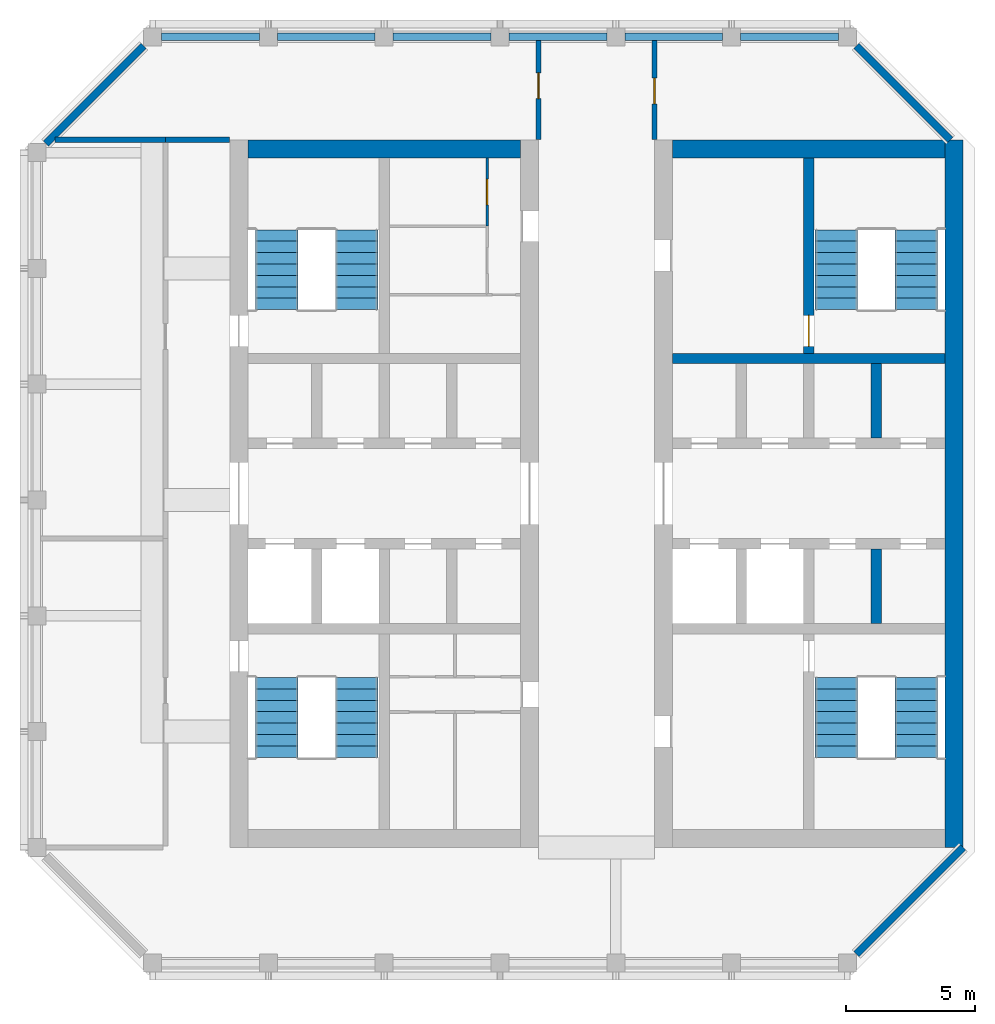
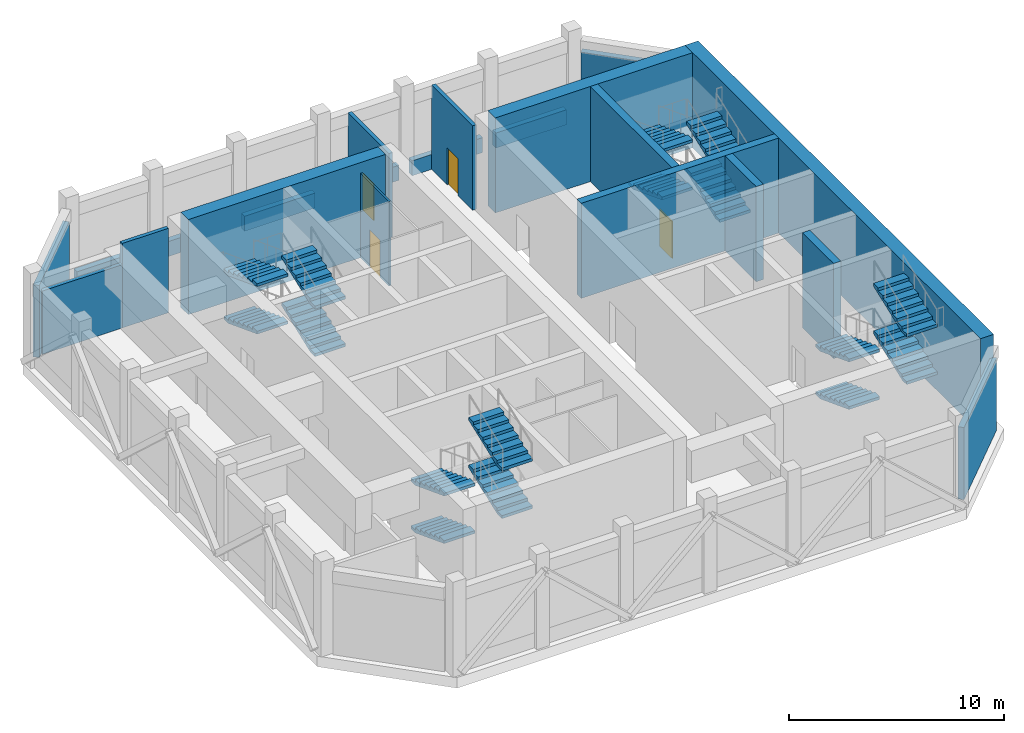
# One storey, part 4 of 7: 21 walls, 16 stair flights, 4 doors, 4 openings, 4 elements without a shape of their own.
"""IFC4 building model written with IfcOpenShell, lengths in metres."""

from ifc_helpers import new_model, si_unit, direction, frame, frame_2d, origin, place, context, subcontext, project, spatial, polyline, rectangle, outline, extrude, material, layer, layer_set, type_object, element, fill, aggregate, save


model = new_model("IFC4")

# Units and contexts
model_context = context("Model", 3, precision=1e-05, world=origin(), true_north=direction((0.0, 1.0)))
body_context = subcontext(model_context, "Body", "Model", "MODEL_VIEW")
ifc_project = project(units=[si_unit("LENGTHUNIT", "METRE"), si_unit("AREAUNIT", "SQUARE_METRE"), si_unit("VOLUMEUNIT", "CUBIC_METRE"), si_unit("PLANEANGLEUNIT", "RADIAN"), si_unit("MASSUNIT", "GRAM", prefix="KILO")], contexts=[model_context])

# Site, building, storey
site_placement = place(None, origin())
site = spatial("IfcSite", under=ifc_project, at=site_placement, CompositionType="ELEMENT")
building_placement = place(site_placement, origin())
building = spatial("IfcBuilding", under=site, at=building_placement, Name="Corbel Stack Research Tower", CompositionType="ELEMENT")
storey_placement = place(building_placement, frame((0.0, 0.0, 306.39990234375)))
storey = spatial("IfcBuildingStorey", under=building, at=storey_placement, Name="L69", CompositionType="ELEMENT", Elevation=306.39990234375)

# Walls
ifc_material_1 = material(Name="Concrete blockwork C20/25", Category="masonry")
ifc_layer_1 = layer(ifc_material_1, 0.199951171875)
ifc_layer_set_1 = layer_set([ifc_layer_1], Name="Concrete blockwork C20/25")
wall_type_1 = type_object("IfcWallType", Name="Blockwork partition 200", PredefinedType="PARTITIONING", material=ifc_layer_set_1)
wall_1_placement = place(storey_placement, frame((-17.294921875, 18.5, 0.0), z_axis=(0.0, 0.0, 1.0), x_axis=(1.0, 0.0, 0.0)))
element("IfcWall", 1, at=wall_1_placement, inside=storey, type_object=wall_type_1, Name="Partition L69-03", PredefinedType="PARTITIONING", context=body_context, shape_type="SweptSolid", body=[
    extrude(rectangle(XDim=4.294921875, YDim=0.199951171875, at=frame_2d((2.1474609375, 0.0))), origin(), (0.0, 0.0, 1.0), 3.60009765625),
])
wall_2_placement = place(storey_placement, frame((-13.0, 18.5, 0.0), z_axis=(0.0, 0.0, 1.0), x_axis=(1.0, 0.0, 0.0)))
element("IfcWall", 2, at=wall_2_placement, inside=storey, type_object=wall_type_1, Name="Partition L69-06", PredefinedType="PARTITIONING", context=body_context, shape_type="SweptSolid", body=[
    extrude(rectangle(XDim=2.47998046875, YDim=0.199951171875, at=frame_2d((1.239990234375, 0.0))), origin(), (0.0, 0.0, 1.0), 4.800048828125),
])

# Wall, opening, door
wall_3_placement = place(storey_placement, frame((1.5, 18.52001953125, 0.0), z_axis=(0.0, 0.0, 1.0), x_axis=(0.0, 1.0, 0.0)))
wall_3 = element("IfcWall", 3, at=wall_3_placement, inside=storey, type_object=wall_type_1, Name="Partition L69-07", PredefinedType="PARTITIONING", context=body_context, shape_type="SweptSolid", body=[
    extrude(rectangle(XDim=3.8349609375, YDim=0.199951171875, at=frame_2d((1.91748046875, 0.0))), origin(), (0.0, 0.0, 1.0), 4.800048828125),
])
opening_1_placement = place(wall_3_placement, frame((1.580078125, 0.0, 0.0)))
opening_1 = element("IfcOpeningElement", 4, at=opening_1_placement, cuts=wall_3, Name="Opening D69-03", PredefinedType="OPENING", context=body_context, shape_type="SweptSolid", body=[
    extrude(rectangle(XDim=1.0, YDim=2.10009765625, at=frame_2d((0.5, 1.050048828125))), frame((0.0, 0.10986328125, 0.0), z_axis=(0.0, -1.0, 0.0), x_axis=(1.0, 0.0, 0.0)), (0.0, 0.0, 1.0), 0.219970703125),
])
ifc_material_2 = material(Name="Steel, painted", Category="steel")
door_type_1 = type_object("IfcDoorType", Name="Steel door 1000 x 2100 FD60", OperationType="SINGLE_SWING_LEFT", PredefinedType="DOOR", material=ifc_material_2)
door_1_placement = place(opening_1_placement, origin())
door_1 = element("IfcDoor", 5, at=door_1_placement, inside=storey, type_object=door_type_1, Name="Standby generator room door", OperationType="SINGLE_SWING_LEFT", OverallHeight=2.10009765625, OverallWidth=1.0, PredefinedType="DOOR", context=body_context, shape_type="SweptSolid", body=[
    extrude(rectangle(XDim=1.0, YDim=2.10009765625, at=frame_2d((0.5, 1.050048828125))), frame((0.0, 0.02490234375, 0.0), z_axis=(0.0, -1.0, 0.0), x_axis=(1.0, 0.0, 0.0)), (0.0, 0.0, 1.0), 0.050048828125),
])
fill(opening_1, door_1)

wall_4_placement = place(storey_placement, frame((6.0, 22.35498046875, 0.0), z_axis=(0.0, 0.0, 1.0), x_axis=(0.0, -1.0, 0.0)))
wall_4 = element("IfcWall", 6, at=wall_4_placement, inside=storey, type_object=wall_type_1, Name="Partition L69-08", PredefinedType="PARTITIONING", context=body_context, shape_type="SweptSolid", body=[
    extrude(rectangle(XDim=3.8349609375, YDim=0.199951171875, at=frame_2d((1.91748046875, 0.0))), origin(), (0.0, 0.0, 1.0), 4.800048828125),
])
opening_2_placement = place(wall_4_placement, frame((1.455078125, 0.0, 0.0)))
opening_2 = element("IfcOpeningElement", 7, at=opening_2_placement, cuts=wall_4, Name="Opening D69-04", PredefinedType="OPENING", context=body_context, shape_type="SweptSolid", body=[
    extrude(rectangle(XDim=1.0, YDim=2.10009765625, at=frame_2d((0.5, 1.050048828125))), frame((0.0, 0.10986328125, 0.0), z_axis=(0.0, -1.0, 0.0), x_axis=(1.0, 0.0, 0.0)), (0.0, 0.0, 1.0), 0.219970703125),
])
door_2_placement = place(opening_2_placement, origin())
door_2 = element("IfcDoor", 8, at=door_2_placement, inside=storey, type_object=door_type_1, Name="Air handling plant room door", OperationType="SINGLE_SWING_LEFT", OverallHeight=2.10009765625, OverallWidth=1.0, PredefinedType="DOOR", context=body_context, shape_type="SweptSolid", body=[
    extrude(rectangle(XDim=1.0, YDim=2.10009765625, at=frame_2d((0.5, 1.050048828125))), frame((0.0, 0.02490234375, 0.0), z_axis=(0.0, -1.0, 0.0), x_axis=(1.0, 0.0, 0.0)), (0.0, 0.0, 1.0), 0.050048828125),
])
fill(opening_2, door_2)

# Walls
ifc_material_3 = material(Name="Concrete C60/75", Category="concrete")
ifc_layer_2 = layer(ifc_material_3, 0.39990234375)
ifc_layer_set_2 = layer_set([ifc_layer_2], Name="Concrete C60/75")
wall_type_2 = type_object("IfcWallType", Name="CW-400-60", PredefinedType="SHEAR", material=ifc_layer_set_2)
wall_5_placement = place(storey_placement, frame((6.699951171875, 10.0, 0.0), z_axis=(0.0, 0.0, 1.0), x_axis=(1.0, 0.0, 0.0)))
element("IfcWall", 9, at=wall_5_placement, inside=storey, type_object=wall_type_2, Name="East core wall, north row back L69", PredefinedType="SHEAR", context=body_context, shape_type="SweptSolid", body=[
    extrude(rectangle(XDim=10.60009765625, YDim=0.39990234375, at=frame_2d((5.300048828125, 0.0))), origin(), (0.0, 0.0, 1.0), 5.400146484375),
])
for number, where, z_axis, x_axis, name in (
    (10, (14.625, -0.300048828125, 0.0), (0.0, 0.0, 1.0), (0.0, 1.0, 0.0), "East core wall, south shaft 3 L69"),
    (11, (14.625, 6.89990234375, 0.0), (0.0, 0.0, 1.0), (0.0, 1.0, 0.0), "East core wall, north shaft 3 L69"),
):
    element("IfcWall", number, at=place(storey_placement, frame(where, z_axis=z_axis, x_axis=x_axis)), inside=storey, type_object=wall_type_2, Name=name, PredefinedType="SHEAR", context=body_context, shape_type="SweptSolid", body=[
        extrude(rectangle(XDim=2.900146484375, YDim=0.39990234375, at=frame_2d((1.4501953125, 0.0))), origin(), (0.0, 0.0, 1.0), 5.400146484375),
    ])

# Wall, opening, door
wall_6_placement = place(storey_placement, frame((12.0, 10.199951171875, 0.0), z_axis=(0.0, 0.0, 1.0), x_axis=(0.0, 1.0, 0.0)))
wall_6 = element("IfcWall", 12, at=wall_6_placement, inside=storey, type_object=wall_type_2, Name="East core wall, north stair and riser L69", PredefinedType="SHEAR", context=body_context, shape_type="SweptSolid", body=[
    extrude(rectangle(XDim=7.60009765625, YDim=0.39990234375, at=frame_2d((3.800048828125, 0.0))), origin(), (0.0, 0.0, 1.0), 5.400146484375),
])
opening_3_placement = place(wall_6_placement, frame((0.27490234375, 0.0, 0.0)))
opening_3 = element("IfcOpeningElement", 13, at=opening_3_placement, cuts=wall_6, Name="Opening SD-ST-E2", PredefinedType="OPENING", context=body_context, shape_type="SweptSolid", body=[
    extrude(rectangle(XDim=1.199951171875, YDim=2.10009765625, at=frame_2d((0.60009765625, 1.050048828125))), frame((0.0, 0.2099609375, 0.0), z_axis=(0.0, -1.0, 0.0), x_axis=(1.0, 0.0, 0.0)), (0.0, 0.0, 1.0), 0.419921875),
])
ifc_material_4 = material(Name="Painted steel fire door", Category="steel")
door_type_2 = type_object("IfcDoorType", Name="Stair door 1200 x 2100 FD90 right hand", OperationType="SINGLE_SWING_RIGHT", PredefinedType="DOOR", material=ifc_material_4)
door_3_placement = place(opening_3_placement, origin())
door_3 = element("IfcDoor", 14, at=door_3_placement, inside=storey, type_object=door_type_2, Name="Stair door ST-E2", OperationType="SINGLE_SWING_RIGHT", OverallHeight=2.10009765625, OverallWidth=1.199951171875, PredefinedType="DOOR", context=body_context, shape_type="SweptSolid", body=[
    extrude(rectangle(XDim=1.199951171875, YDim=2.10009765625, at=frame_2d((0.60009765625, 1.050048828125))), frame((0.0, 0.02490234375, 0.0), z_axis=(0.0, -1.0, 0.0), x_axis=(1.0, 0.0, 0.0)), (0.0, 0.0, 1.0), 0.050048828125),
])
fill(opening_3, door_3)

# Walls
ifc_material_5 = material(Name="Concrete C60/75", Category="concrete")
ifc_layer_3 = layer(ifc_material_5, 0.699951171875)
ifc_layer_set_3 = layer_set([ifc_layer_3], Name="Concrete C60/75")
wall_type_3 = type_object("IfcWallType", Name="CW-700-60", PredefinedType="SHEAR", material=ifc_layer_set_3)
wall_7_placement = place(storey_placement, frame((-9.800048828125, 18.14990234375, 0.0), z_axis=(0.0, 0.0, 1.0), x_axis=(1.0, 0.0, 0.0)))
element("IfcWall", 15, at=wall_7_placement, inside=storey, type_object=wall_type_3, Name="West core wall, north end L69", PredefinedType="SHEAR", context=body_context, shape_type="SweptSolid", body=[
    extrude(rectangle(XDim=10.60009765625, YDim=0.699951171875, at=frame_2d((5.300048828125, 0.0))), origin(), (0.0, 0.0, 1.0), 5.400146484375),
])
wall_8_placement = place(storey_placement, frame((17.64990234375, -9.0, 0.0), z_axis=(0.0, 0.0, 1.0), x_axis=(0.0, 1.0, 0.0)))
element("IfcWall", 16, at=wall_8_placement, inside=storey, type_object=wall_type_3, Name="East core wall, east face L69", PredefinedType="SHEAR", context=body_context, shape_type="SweptSolid", body=[
    extrude(rectangle(XDim=27.5, YDim=0.699951171875, at=frame_2d((13.75, 0.0))), origin(), (0.0, 0.0, 1.0), 5.400146484375),
])
wall_9_placement = place(storey_placement, frame((6.699951171875, 18.14990234375, 0.0), z_axis=(0.0, 0.0, 1.0), x_axis=(1.0, 0.0, 0.0)))
element("IfcWall", 17, at=wall_9_placement, inside=storey, type_object=wall_type_3, Name="East core wall, north end L69", PredefinedType="SHEAR", context=body_context, shape_type="SweptSolid", body=[
    extrude(rectangle(XDim=10.60009765625, YDim=0.699951171875, at=frame_2d((5.300048828125, 0.0))), origin(), (0.0, 0.0, 1.0), 5.400146484375),
])

# Wall, opening, door
ifc_material_6 = material(Name="Gypsum board")
ifc_layer_4 = layer(ifc_material_6, 0.10009765625)
ifc_layer_set_4 = layer_set([ifc_layer_4], Name="Gypsum board")
wall_type_4 = type_object("IfcWallType", Name="Core partition 100", PredefinedType="PARTITIONING", material=ifc_layer_set_4)
wall_10_placement = place(storey_placement, frame((-0.5, 15.139892578125, 0.0), z_axis=(0.0, 0.0, 1.0), x_axis=(0.0, 1.0, 0.0)))
wall_10 = element("IfcWall", 18, at=wall_10_placement, inside=storey, type_object=wall_type_4, Name="Core partition W", PredefinedType="PARTITIONING", context=body_context, shape_type="SweptSolid", body=[
    extrude(rectangle(XDim=2.66015625, YDim=0.10009765625, at=frame_2d((1.330078125, 0.0))), origin(), (0.0, 0.0, 1.0), 4.800048828125),
])
opening_4_placement = place(wall_10_placement, frame((0.830078125, 0.0, 0.0)))
opening_4 = element("IfcOpeningElement", 19, at=opening_4_placement, cuts=wall_10, Name="Opening CR-W54-R4-1000", PredefinedType="OPENING", context=body_context, shape_type="SweptSolid", body=[
    extrude(rectangle(XDim=1.0, YDim=2.10009765625, at=frame_2d((0.5, 1.050048828125))), frame((0.0, 0.06005859375, 0.0), z_axis=(0.0, -1.0, 0.0), x_axis=(1.0, 0.0, 0.0)), (0.0, 0.0, 1.0), 0.1201171875),
])
ifc_material_7 = material(Name="Painted steel door", Category="steel")
door_type_3 = type_object("IfcDoorType", Name="Service door 1000 x 2100 FD30 right hand", OperationType="SINGLE_SWING_RIGHT", PredefinedType="DOOR", material=ifc_material_7)
door_4_placement = place(opening_4_placement, origin())
door_4 = element("IfcDoor", 20, at=door_4_placement, inside=storey, type_object=door_type_3, Name="Copy and supply store door W core", OperationType="SINGLE_SWING_RIGHT", OverallHeight=2.10009765625, OverallWidth=1.0, PredefinedType="DOOR", context=body_context, shape_type="SweptSolid", body=[
    extrude(rectangle(XDim=1.0, YDim=2.10009765625, at=frame_2d((0.5, 1.050048828125))), frame((0.0, 0.02490234375, 0.0), z_axis=(0.0, -1.0, 0.0), x_axis=(1.0, 0.0, 0.0)), (0.0, 0.0, 1.0), 0.050048828125),
])
fill(opening_4, door_4)

# Walls
ifc_material_8 = material(Name="Concrete C45/55", Category="concrete")
ifc_layer_5 = layer(ifc_material_8, 0.300048828125)
ifc_layer_set_5 = layer_set([ifc_layer_5], Name="Concrete C45/55")
wall_type_5 = type_object("IfcWallType", Name="Precast plant wall 300 C45/55", PredefinedType="SOLIDWALL", material=ifc_layer_set_5)
wall_11_placement = place(storey_placement, frame((13.85009765625, -13.14990234375, 0.0), z_axis=(0.0, 0.0, 1.0), x_axis=(0.707106781187, 0.707106781187, 0.0)))
element("IfcWall", 21, at=wall_11_placement, inside=storey, type_object=wall_type_5, Name="Plant wall L69-07", PredefinedType="SOLIDWALL", context=body_context, shape_type="SweptSolid", body=[
    extrude(rectangle(XDim=5.868896484375, YDim=0.300048828125, at=frame_2d((2.9345703125, 0.0))), origin(), (0.0, 0.0, 1.0), 4.10009765625),
])
wall_12_placement = place(storey_placement, frame((17.5, 18.5, 0.0), z_axis=(0.0, 0.0, 1.0), x_axis=(-0.707106781187, 0.707106781187, 0.0)))
element("IfcWall", 22, at=wall_12_placement, inside=storey, type_object=wall_type_5, Name="Plant wall L69-08", PredefinedType="SOLIDWALL", context=body_context, shape_type="SweptSolid", body=[
    extrude(rectangle(XDim=5.16162109375, YDim=0.300048828125, at=frame_2d((2.580810546875, 0.0))), origin(), (0.0, 0.0, 1.0), 4.10009765625),
])
for number, where, z_axis, x_axis, name in (
    (23, (13.14990234375, 22.5, 0.0), (0.0, 0.0, 1.0), (-1.0, 0.0, 0.0), "Plant wall base L69-09"),
    (24, (8.64990234375, 22.5, 0.0), (0.0, 0.0, 1.0), (-1.0, 0.0, 0.0), "Plant wall base L69-10"),
    (25, (4.14990234375, 22.5, 0.0), (0.0, 0.0, 1.0), (-1.0, 0.0, 0.0), "Plant wall base L69-11"),
    (26, (-0.35009765625, 22.5, 0.0), (0.0, 0.0, 1.0), (-1.0, 0.0, 0.0), "Plant wall base L69-12"),
    (27, (-4.85009765625, 22.5, 0.0), (0.0, 0.0, 1.0), (-1.0, 0.0, 0.0), "Plant wall base L69-13"),
    (28, (-9.35009765625, 22.5, 0.0), (0.0, 0.0, 1.0), (-1.0, 0.0, 0.0), "Plant wall base L69-14"),
):
    element("IfcWall", number, at=place(storey_placement, frame(where, z_axis=z_axis, x_axis=x_axis)), inside=storey, type_object=wall_type_5, Name=name, PredefinedType="SOLIDWALL", context=body_context, shape_type="SweptSolid", body=[
        extrude(rectangle(XDim=3.7998046875, YDim=0.300048828125, at=frame_2d((1.89990234375, 0.0))), origin(), (0.0, 0.0, 1.0), 0.85009765625),
    ])
wall_13_placement = place(storey_placement, frame((-13.85009765625, 22.14990234375, 0.0), z_axis=(0.0, 0.0, 1.0), x_axis=(-0.707106781187, -0.707106781187, 0.0)))
element("IfcWall", 29, at=wall_13_placement, inside=storey, type_object=wall_type_5, Name="Plant wall L69-15", PredefinedType="SOLIDWALL", context=body_context, shape_type="SweptSolid", body=[
    extrude(rectangle(XDim=5.373779296875, YDim=0.300048828125, at=frame_2d((2.68701171875, 0.0))), origin(), (0.0, 0.0, 1.0), 4.10009765625),
])

# Stair, stair flights
ifc_material_9 = material(Name="Concrete C40/50", Category="concrete")
stair_type = type_object("IfcStairType", Name="Exit stair 32 risers, 443 going", PredefinedType="HALF_TURN_STAIR", material=ifc_material_9)
stair_1_placement = place(storey_placement, origin())
stair_1 = element("IfcStair", 30, at=stair_1_placement, inside=storey, type_object=stair_type, Name="L69 Exit stair ST-W1", PredefinedType="HALF_TURN_STAIR")
ifc_material_10 = material(Name="Concrete C40/50", Category="concrete")
stair_flight_type = type_object("IfcStairFlightType", Name="Stair flight 8 risers, 443 going", PredefinedType="STRAIGHT", material=ifc_material_10)
stair_flight_1_placement = place(storey_placement, frame((-8.675048828125, -2.39990234375, 0.0), z_axis=(0.0, 0.0, 1.0), x_axis=(0.0, -1.0, 0.0)))
stair_flight_1 = element("IfcStairFlight", 31, at=stair_flight_1_placement, type_object=stair_flight_type, Name="ST-W1 flight 1", NumberOfRisers=8, NumberOfTreads=7, PredefinedType="STRAIGHT", RiserHeight=0.16875, TreadLength=0.443, context=body_context, shape_type="SweptSolid", body=[
    extrude(outline(polyline([(0.0, 0.0), (0.0, 0.168701171875), (0.443115234375, 0.168701171875), (0.443115234375, 0.33740234375), (0.885986328125, 0.33740234375), (0.885986328125, 0.50634765625), (1.3291015625, 0.50634765625), (1.3291015625, 0.675048828125), (1.77197265625, 0.675048828125), (1.77197265625, 0.84375), (2.215087890625, 0.84375), (2.215087890625, 1.012451171875), (2.657958984375, 1.012451171875), (2.657958984375, 1.18115234375), (3.10107421875, 1.18115234375), (3.10107421875, 1.35009765625), (3.10107421875, 1.020751953125), (0.421142578125, 0.0), (0.0, 0.0)])), frame((0.0, 0.824951171875, 0.0), z_axis=(0.0, -1.0, 0.0), x_axis=(1.0, 0.0, 0.0)), (0.0, 0.0, 1.0), 1.64990234375),
])
stair_flight_2_placement = place(storey_placement, frame((-5.574951171875, -5.5009765625, 1.35009765625), z_axis=(0.0, 0.0, 1.0), x_axis=(0.0, 1.0, 0.0)))
stair_flight_2 = element("IfcStairFlight", 32, at=stair_flight_2_placement, type_object=stair_flight_type, Name="ST-W1 flight 2", NumberOfRisers=8, NumberOfTreads=7, PredefinedType="STRAIGHT", RiserHeight=0.16875, TreadLength=0.443, context=body_context, shape_type="SweptSolid", body=[
    extrude(outline(polyline([(0.0, 0.0), (0.0, 0.168701171875), (0.443115234375, 0.168701171875), (0.443115234375, 0.33740234375), (0.885986328125, 0.33740234375), (0.885986328125, 0.50634765625), (1.3291015625, 0.50634765625), (1.3291015625, 0.675048828125), (1.77197265625, 0.675048828125), (1.77197265625, 0.84375), (2.215087890625, 0.84375), (2.215087890625, 1.012451171875), (2.657958984375, 1.012451171875), (2.657958984375, 1.18115234375), (3.10107421875, 1.18115234375), (3.10107421875, 1.35009765625), (3.10107421875, 1.020751953125), (0.421142578125, 0.0), (0.0, 0.0)])), frame((0.0, 0.824951171875, 0.0), z_axis=(0.0, -1.0, 0.0), x_axis=(1.0, 0.0, 0.0)), (0.0, 0.0, 1.0), 1.64990234375),
])
stair_flight_3_placement = place(storey_placement, frame((-8.675048828125, -2.39990234375, 2.7001953125), z_axis=(0.0, 0.0, 1.0), x_axis=(0.0, -1.0, 0.0)))
stair_flight_3 = element("IfcStairFlight", 33, at=stair_flight_3_placement, type_object=stair_flight_type, Name="ST-W1 flight 3", NumberOfRisers=8, NumberOfTreads=7, PredefinedType="STRAIGHT", RiserHeight=0.16875, TreadLength=0.443, context=body_context, shape_type="SweptSolid", body=[
    extrude(outline(polyline([(0.0, 0.0), (0.0, 0.168701171875), (0.443115234375, 0.168701171875), (0.443115234375, 0.33740234375), (0.885986328125, 0.33740234375), (0.885986328125, 0.50634765625), (1.3291015625, 0.50634765625), (1.3291015625, 0.675048828125), (1.77197265625, 0.675048828125), (1.77197265625, 0.84375), (2.215087890625, 0.84375), (2.215087890625, 1.012451171875), (2.657958984375, 1.012451171875), (2.657958984375, 1.18115234375), (3.10107421875, 1.18115234375), (3.10107421875, 1.35009765625), (3.10107421875, 1.020751953125), (0.421142578125, 0.0), (0.0, 0.0)])), frame((0.0, 0.824951171875, 0.0), z_axis=(0.0, -1.0, 0.0), x_axis=(1.0, 0.0, 0.0)), (0.0, 0.0, 1.0), 1.64990234375),
])
stair_flight_4_placement = place(storey_placement, frame((-5.574951171875, -5.5009765625, 4.050048828125), z_axis=(0.0, 0.0, 1.0), x_axis=(0.0, 1.0, 0.0)))
stair_flight_4 = element("IfcStairFlight", 34, at=stair_flight_4_placement, type_object=stair_flight_type, Name="ST-W1 flight 4", NumberOfRisers=8, NumberOfTreads=7, PredefinedType="STRAIGHT", RiserHeight=0.16875, TreadLength=0.443, context=body_context, shape_type="SweptSolid", body=[
    extrude(outline(polyline([(0.0, 0.0), (0.0, 0.168701171875), (0.443115234375, 0.168701171875), (0.443115234375, 0.33740234375), (0.885986328125, 0.33740234375), (0.885986328125, 0.50634765625), (1.3291015625, 0.50634765625), (1.3291015625, 0.675048828125), (1.77197265625, 0.675048828125), (1.77197265625, 0.84375), (2.215087890625, 0.84375), (2.215087890625, 1.012451171875), (2.657958984375, 1.012451171875), (2.657958984375, 1.18115234375), (3.10107421875, 1.18115234375), (3.10107421875, 1.35009765625), (3.10107421875, 1.020751953125), (0.421142578125, 0.0), (0.0, 0.0)])), frame((0.0, 0.824951171875, 0.0), z_axis=(0.0, -1.0, 0.0), x_axis=(1.0, 0.0, 0.0)), (0.0, 0.0, 1.0), 1.64990234375),
])
aggregate(stair_1, [stair_flight_1, stair_flight_2, stair_flight_3, stair_flight_4])

stair_2_placement = place(storey_placement, origin())
stair_2 = element("IfcStair", 35, at=stair_2_placement, inside=storey, type_object=stair_type, Name="L69 Exit stair ST-W2", PredefinedType="HALF_TURN_STAIR")
stair_flight_5_placement = place(storey_placement, frame((-5.574951171875, 11.89990234375, 0.0), z_axis=(0.0, 0.0, 1.0), x_axis=(0.0, 1.0, 0.0)))
stair_flight_5 = element("IfcStairFlight", 36, at=stair_flight_5_placement, type_object=stair_flight_type, Name="ST-W2 flight 1", NumberOfRisers=8, NumberOfTreads=7, PredefinedType="STRAIGHT", RiserHeight=0.16875, TreadLength=0.443, context=body_context, shape_type="SweptSolid", body=[
    extrude(outline(polyline([(0.0, 0.0), (0.0, 0.168701171875), (0.443115234375, 0.168701171875), (0.443115234375, 0.33740234375), (0.885986328125, 0.33740234375), (0.885986328125, 0.50634765625), (1.3291015625, 0.50634765625), (1.3291015625, 0.675048828125), (1.77197265625, 0.675048828125), (1.77197265625, 0.84375), (2.215087890625, 0.84375), (2.215087890625, 1.012451171875), (2.657958984375, 1.012451171875), (2.657958984375, 1.18115234375), (3.10107421875, 1.18115234375), (3.10107421875, 1.35009765625), (3.10107421875, 1.020751953125), (0.421142578125, 0.0), (0.0, 0.0)])), frame((0.0, 0.824951171875, 0.0), z_axis=(0.0, -1.0, 0.0), x_axis=(1.0, 0.0, 0.0)), (0.0, 0.0, 1.0), 1.64990234375),
])
stair_flight_6_placement = place(storey_placement, frame((-8.675048828125, 15.0009765625, 1.35009765625), z_axis=(0.0, 0.0, 1.0), x_axis=(0.0, -1.0, 0.0)))
stair_flight_6 = element("IfcStairFlight", 37, at=stair_flight_6_placement, type_object=stair_flight_type, Name="ST-W2 flight 2", NumberOfRisers=8, NumberOfTreads=7, PredefinedType="STRAIGHT", RiserHeight=0.16875, TreadLength=0.443, context=body_context, shape_type="SweptSolid", body=[
    extrude(outline(polyline([(0.0, 0.0), (0.0, 0.168701171875), (0.443115234375, 0.168701171875), (0.443115234375, 0.33740234375), (0.885986328125, 0.33740234375), (0.885986328125, 0.50634765625), (1.3291015625, 0.50634765625), (1.3291015625, 0.675048828125), (1.77197265625, 0.675048828125), (1.77197265625, 0.84375), (2.215087890625, 0.84375), (2.215087890625, 1.012451171875), (2.657958984375, 1.012451171875), (2.657958984375, 1.18115234375), (3.10107421875, 1.18115234375), (3.10107421875, 1.35009765625), (3.10107421875, 1.020751953125), (0.421142578125, 0.0), (0.0, 0.0)])), frame((0.0, 0.824951171875, 0.0), z_axis=(0.0, -1.0, 0.0), x_axis=(1.0, 0.0, 0.0)), (0.0, 0.0, 1.0), 1.64990234375),
])
stair_flight_7_placement = place(storey_placement, frame((-5.574951171875, 11.89990234375, 2.7001953125), z_axis=(0.0, 0.0, 1.0), x_axis=(0.0, 1.0, 0.0)))
stair_flight_7 = element("IfcStairFlight", 38, at=stair_flight_7_placement, type_object=stair_flight_type, Name="ST-W2 flight 3", NumberOfRisers=8, NumberOfTreads=7, PredefinedType="STRAIGHT", RiserHeight=0.16875, TreadLength=0.443, context=body_context, shape_type="SweptSolid", body=[
    extrude(outline(polyline([(0.0, 0.0), (0.0, 0.168701171875), (0.443115234375, 0.168701171875), (0.443115234375, 0.33740234375), (0.885986328125, 0.33740234375), (0.885986328125, 0.50634765625), (1.3291015625, 0.50634765625), (1.3291015625, 0.675048828125), (1.77197265625, 0.675048828125), (1.77197265625, 0.84375), (2.215087890625, 0.84375), (2.215087890625, 1.012451171875), (2.657958984375, 1.012451171875), (2.657958984375, 1.18115234375), (3.10107421875, 1.18115234375), (3.10107421875, 1.35009765625), (3.10107421875, 1.020751953125), (0.421142578125, 0.0), (0.0, 0.0)])), frame((0.0, 0.824951171875, 0.0), z_axis=(0.0, -1.0, 0.0), x_axis=(1.0, 0.0, 0.0)), (0.0, 0.0, 1.0), 1.64990234375),
])
stair_flight_8_placement = place(storey_placement, frame((-8.675048828125, 15.0009765625, 4.050048828125), z_axis=(0.0, 0.0, 1.0), x_axis=(0.0, -1.0, 0.0)))
stair_flight_8 = element("IfcStairFlight", 39, at=stair_flight_8_placement, type_object=stair_flight_type, Name="ST-W2 flight 4", NumberOfRisers=8, NumberOfTreads=7, PredefinedType="STRAIGHT", RiserHeight=0.16875, TreadLength=0.443, context=body_context, shape_type="SweptSolid", body=[
    extrude(outline(polyline([(0.0, 0.0), (0.0, 0.168701171875), (0.443115234375, 0.168701171875), (0.443115234375, 0.33740234375), (0.885986328125, 0.33740234375), (0.885986328125, 0.50634765625), (1.3291015625, 0.50634765625), (1.3291015625, 0.675048828125), (1.77197265625, 0.675048828125), (1.77197265625, 0.84375), (2.215087890625, 0.84375), (2.215087890625, 1.012451171875), (2.657958984375, 1.012451171875), (2.657958984375, 1.18115234375), (3.10107421875, 1.18115234375), (3.10107421875, 1.35009765625), (3.10107421875, 1.020751953125), (0.421142578125, 0.0), (0.0, 0.0)])), frame((0.0, 0.824951171875, 0.0), z_axis=(0.0, -1.0, 0.0), x_axis=(1.0, 0.0, 0.0)), (0.0, 0.0, 1.0), 1.64990234375),
])
aggregate(stair_2, [stair_flight_5, stair_flight_6, stair_flight_7, stair_flight_8])

stair_3_placement = place(storey_placement, origin())
stair_3 = element("IfcStair", 40, at=stair_3_placement, inside=storey, type_object=stair_type, Name="L69 Exit stair ST-E1", PredefinedType="HALF_TURN_STAIR")
stair_flight_9_placement = place(storey_placement, frame((13.074951171875, -2.39990234375, 0.0), z_axis=(0.0, 0.0, 1.0), x_axis=(0.0, -1.0, 0.0)))
stair_flight_9 = element("IfcStairFlight", 41, at=stair_flight_9_placement, type_object=stair_flight_type, Name="ST-E1 flight 1", NumberOfRisers=8, NumberOfTreads=7, PredefinedType="STRAIGHT", RiserHeight=0.16875, TreadLength=0.443, context=body_context, shape_type="SweptSolid", body=[
    extrude(outline(polyline([(0.0, 0.0), (0.0, 0.168701171875), (0.443115234375, 0.168701171875), (0.443115234375, 0.33740234375), (0.885986328125, 0.33740234375), (0.885986328125, 0.50634765625), (1.3291015625, 0.50634765625), (1.3291015625, 0.675048828125), (1.77197265625, 0.675048828125), (1.77197265625, 0.84375), (2.215087890625, 0.84375), (2.215087890625, 1.012451171875), (2.657958984375, 1.012451171875), (2.657958984375, 1.18115234375), (3.10107421875, 1.18115234375), (3.10107421875, 1.35009765625), (3.10107421875, 1.020751953125), (0.421142578125, 0.0), (0.0, 0.0)])), frame((0.0, 0.824951171875, 0.0), z_axis=(0.0, -1.0, 0.0), x_axis=(1.0, 0.0, 0.0)), (0.0, 0.0, 1.0), 1.64990234375),
])
stair_flight_10_placement = place(storey_placement, frame((16.175048828125, -5.5009765625, 1.35009765625), z_axis=(0.0, 0.0, 1.0), x_axis=(0.0, 1.0, 0.0)))
stair_flight_10 = element("IfcStairFlight", 42, at=stair_flight_10_placement, type_object=stair_flight_type, Name="ST-E1 flight 2", NumberOfRisers=8, NumberOfTreads=7, PredefinedType="STRAIGHT", RiserHeight=0.16875, TreadLength=0.443, context=body_context, shape_type="SweptSolid", body=[
    extrude(outline(polyline([(0.0, 0.0), (0.0, 0.168701171875), (0.443115234375, 0.168701171875), (0.443115234375, 0.33740234375), (0.885986328125, 0.33740234375), (0.885986328125, 0.50634765625), (1.3291015625, 0.50634765625), (1.3291015625, 0.675048828125), (1.77197265625, 0.675048828125), (1.77197265625, 0.84375), (2.215087890625, 0.84375), (2.215087890625, 1.012451171875), (2.657958984375, 1.012451171875), (2.657958984375, 1.18115234375), (3.10107421875, 1.18115234375), (3.10107421875, 1.35009765625), (3.10107421875, 1.020751953125), (0.421142578125, 0.0), (0.0, 0.0)])), frame((0.0, 0.824951171875, 0.0), z_axis=(0.0, -1.0, 0.0), x_axis=(1.0, 0.0, 0.0)), (0.0, 0.0, 1.0), 1.64990234375),
])
stair_flight_11_placement = place(storey_placement, frame((13.074951171875, -2.39990234375, 2.7001953125), z_axis=(0.0, 0.0, 1.0), x_axis=(0.0, -1.0, 0.0)))
stair_flight_11 = element("IfcStairFlight", 43, at=stair_flight_11_placement, type_object=stair_flight_type, Name="ST-E1 flight 3", NumberOfRisers=8, NumberOfTreads=7, PredefinedType="STRAIGHT", RiserHeight=0.16875, TreadLength=0.443, context=body_context, shape_type="SweptSolid", body=[
    extrude(outline(polyline([(0.0, 0.0), (0.0, 0.168701171875), (0.443115234375, 0.168701171875), (0.443115234375, 0.33740234375), (0.885986328125, 0.33740234375), (0.885986328125, 0.50634765625), (1.3291015625, 0.50634765625), (1.3291015625, 0.675048828125), (1.77197265625, 0.675048828125), (1.77197265625, 0.84375), (2.215087890625, 0.84375), (2.215087890625, 1.012451171875), (2.657958984375, 1.012451171875), (2.657958984375, 1.18115234375), (3.10107421875, 1.18115234375), (3.10107421875, 1.35009765625), (3.10107421875, 1.020751953125), (0.421142578125, 0.0), (0.0, 0.0)])), frame((0.0, 0.824951171875, 0.0), z_axis=(0.0, -1.0, 0.0), x_axis=(1.0, 0.0, 0.0)), (0.0, 0.0, 1.0), 1.64990234375),
])
stair_flight_12_placement = place(storey_placement, frame((16.175048828125, -5.5009765625, 4.050048828125), z_axis=(0.0, 0.0, 1.0), x_axis=(0.0, 1.0, 0.0)))
stair_flight_12 = element("IfcStairFlight", 44, at=stair_flight_12_placement, type_object=stair_flight_type, Name="ST-E1 flight 4", NumberOfRisers=8, NumberOfTreads=7, PredefinedType="STRAIGHT", RiserHeight=0.16875, TreadLength=0.443, context=body_context, shape_type="SweptSolid", body=[
    extrude(outline(polyline([(0.0, 0.0), (0.0, 0.168701171875), (0.443115234375, 0.168701171875), (0.443115234375, 0.33740234375), (0.885986328125, 0.33740234375), (0.885986328125, 0.50634765625), (1.3291015625, 0.50634765625), (1.3291015625, 0.675048828125), (1.77197265625, 0.675048828125), (1.77197265625, 0.84375), (2.215087890625, 0.84375), (2.215087890625, 1.012451171875), (2.657958984375, 1.012451171875), (2.657958984375, 1.18115234375), (3.10107421875, 1.18115234375), (3.10107421875, 1.35009765625), (3.10107421875, 1.020751953125), (0.421142578125, 0.0), (0.0, 0.0)])), frame((0.0, 0.824951171875, 0.0), z_axis=(0.0, -1.0, 0.0), x_axis=(1.0, 0.0, 0.0)), (0.0, 0.0, 1.0), 1.64990234375),
])
aggregate(stair_3, [stair_flight_9, stair_flight_10, stair_flight_11, stair_flight_12])

stair_4_placement = place(storey_placement, origin())
stair_4 = element("IfcStair", 45, at=stair_4_placement, inside=storey, type_object=stair_type, Name="L69 Exit stair ST-E2", PredefinedType="HALF_TURN_STAIR")
stair_flight_13_placement = place(storey_placement, frame((16.175048828125, 11.89990234375, 0.0), z_axis=(0.0, 0.0, 1.0), x_axis=(0.0, 1.0, 0.0)))
stair_flight_13 = element("IfcStairFlight", 46, at=stair_flight_13_placement, type_object=stair_flight_type, Name="ST-E2 flight 1", NumberOfRisers=8, NumberOfTreads=7, PredefinedType="STRAIGHT", RiserHeight=0.16875, TreadLength=0.443, context=body_context, shape_type="SweptSolid", body=[
    extrude(outline(polyline([(0.0, 0.0), (0.0, 0.168701171875), (0.443115234375, 0.168701171875), (0.443115234375, 0.33740234375), (0.885986328125, 0.33740234375), (0.885986328125, 0.50634765625), (1.3291015625, 0.50634765625), (1.3291015625, 0.675048828125), (1.77197265625, 0.675048828125), (1.77197265625, 0.84375), (2.215087890625, 0.84375), (2.215087890625, 1.012451171875), (2.657958984375, 1.012451171875), (2.657958984375, 1.18115234375), (3.10107421875, 1.18115234375), (3.10107421875, 1.35009765625), (3.10107421875, 1.020751953125), (0.421142578125, 0.0), (0.0, 0.0)])), frame((0.0, 0.824951171875, 0.0), z_axis=(0.0, -1.0, 0.0), x_axis=(1.0, 0.0, 0.0)), (0.0, 0.0, 1.0), 1.64990234375),
])
stair_flight_14_placement = place(storey_placement, frame((13.074951171875, 15.0009765625, 1.35009765625), z_axis=(0.0, 0.0, 1.0), x_axis=(0.0, -1.0, 0.0)))
stair_flight_14 = element("IfcStairFlight", 47, at=stair_flight_14_placement, type_object=stair_flight_type, Name="ST-E2 flight 2", NumberOfRisers=8, NumberOfTreads=7, PredefinedType="STRAIGHT", RiserHeight=0.16875, TreadLength=0.443, context=body_context, shape_type="SweptSolid", body=[
    extrude(outline(polyline([(0.0, 0.0), (0.0, 0.168701171875), (0.443115234375, 0.168701171875), (0.443115234375, 0.33740234375), (0.885986328125, 0.33740234375), (0.885986328125, 0.50634765625), (1.3291015625, 0.50634765625), (1.3291015625, 0.675048828125), (1.77197265625, 0.675048828125), (1.77197265625, 0.84375), (2.215087890625, 0.84375), (2.215087890625, 1.012451171875), (2.657958984375, 1.012451171875), (2.657958984375, 1.18115234375), (3.10107421875, 1.18115234375), (3.10107421875, 1.35009765625), (3.10107421875, 1.020751953125), (0.421142578125, 0.0), (0.0, 0.0)])), frame((0.0, 0.824951171875, 0.0), z_axis=(0.0, -1.0, 0.0), x_axis=(1.0, 0.0, 0.0)), (0.0, 0.0, 1.0), 1.64990234375),
])
stair_flight_15_placement = place(storey_placement, frame((16.175048828125, 11.89990234375, 2.7001953125), z_axis=(0.0, 0.0, 1.0), x_axis=(0.0, 1.0, 0.0)))
stair_flight_15 = element("IfcStairFlight", 48, at=stair_flight_15_placement, type_object=stair_flight_type, Name="ST-E2 flight 3", NumberOfRisers=8, NumberOfTreads=7, PredefinedType="STRAIGHT", RiserHeight=0.16875, TreadLength=0.443, context=body_context, shape_type="SweptSolid", body=[
    extrude(outline(polyline([(0.0, 0.0), (0.0, 0.168701171875), (0.443115234375, 0.168701171875), (0.443115234375, 0.33740234375), (0.885986328125, 0.33740234375), (0.885986328125, 0.50634765625), (1.3291015625, 0.50634765625), (1.3291015625, 0.675048828125), (1.77197265625, 0.675048828125), (1.77197265625, 0.84375), (2.215087890625, 0.84375), (2.215087890625, 1.012451171875), (2.657958984375, 1.012451171875), (2.657958984375, 1.18115234375), (3.10107421875, 1.18115234375), (3.10107421875, 1.35009765625), (3.10107421875, 1.020751953125), (0.421142578125, 0.0), (0.0, 0.0)])), frame((0.0, 0.824951171875, 0.0), z_axis=(0.0, -1.0, 0.0), x_axis=(1.0, 0.0, 0.0)), (0.0, 0.0, 1.0), 1.64990234375),
])
stair_flight_16_placement = place(storey_placement, frame((13.074951171875, 15.0009765625, 4.050048828125), z_axis=(0.0, 0.0, 1.0), x_axis=(0.0, -1.0, 0.0)))
stair_flight_16 = element("IfcStairFlight", 49, at=stair_flight_16_placement, type_object=stair_flight_type, Name="ST-E2 flight 4", NumberOfRisers=8, NumberOfTreads=7, PredefinedType="STRAIGHT", RiserHeight=0.16875, TreadLength=0.443, context=body_context, shape_type="SweptSolid", body=[
    extrude(outline(polyline([(0.0, 0.0), (0.0, 0.168701171875), (0.443115234375, 0.168701171875), (0.443115234375, 0.33740234375), (0.885986328125, 0.33740234375), (0.885986328125, 0.50634765625), (1.3291015625, 0.50634765625), (1.3291015625, 0.675048828125), (1.77197265625, 0.675048828125), (1.77197265625, 0.84375), (2.215087890625, 0.84375), (2.215087890625, 1.012451171875), (2.657958984375, 1.012451171875), (2.657958984375, 1.18115234375), (3.10107421875, 1.18115234375), (3.10107421875, 1.35009765625), (3.10107421875, 1.020751953125), (0.421142578125, 0.0), (0.0, 0.0)])), frame((0.0, 0.824951171875, 0.0), z_axis=(0.0, -1.0, 0.0), x_axis=(1.0, 0.0, 0.0)), (0.0, 0.0, 1.0), 1.64990234375),
])
aggregate(stair_4, [stair_flight_13, stair_flight_14, stair_flight_15, stair_flight_16])

save(model, "model.ifc")
